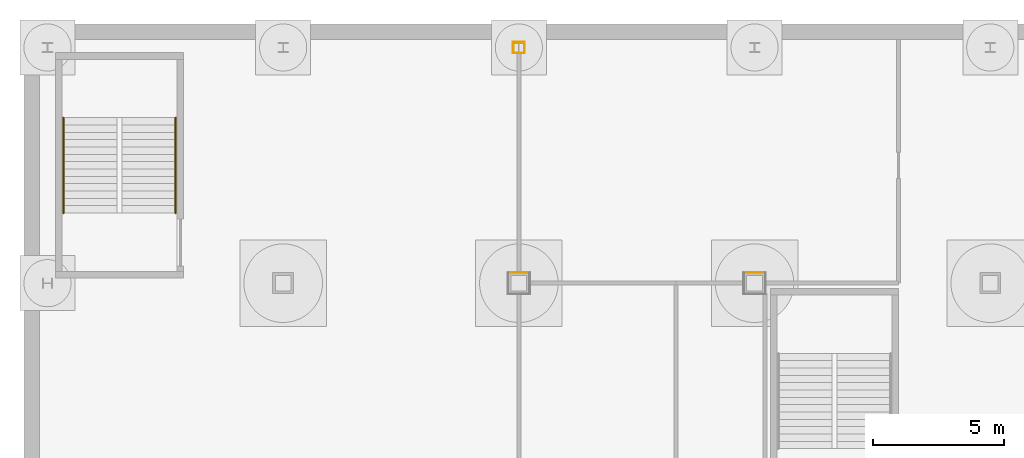
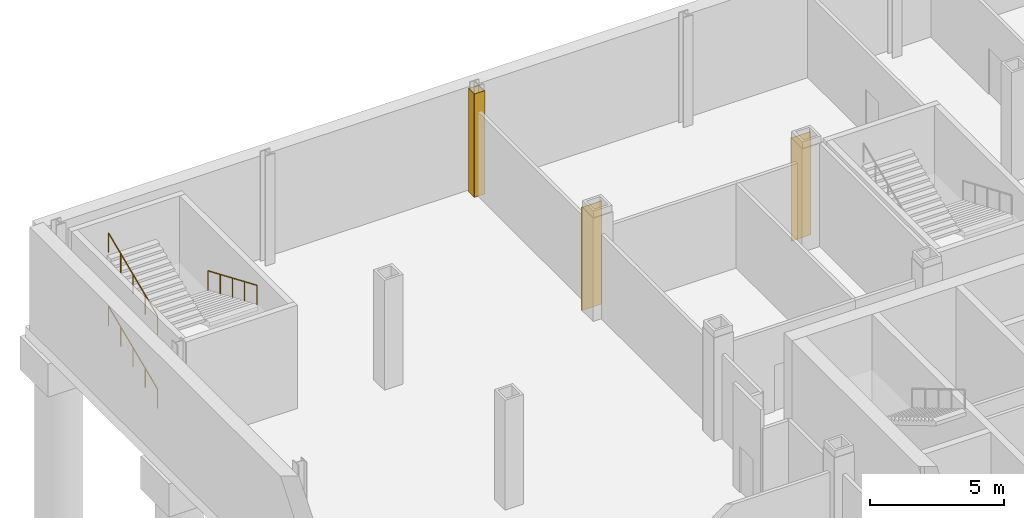
# One storey, part 24 of 28: 6 coverings, 3 railings.
"""IFC4 building model written with IfcOpenShell, lengths in metres."""

from ifc_helpers import new_model, si_unit, direction, frame, origin, origin_2d, place, context, subcontext, project, spatial, rectangle, circle, extrude, material, layer, layer_set, type_object, element, save


model = new_model("IFC4")

# Units and contexts
model_context = context("Model", 3, precision=1e-05, world=origin(), true_north=direction((0.0, 1.0)))
body_context = subcontext(model_context, "Body", "Model", "MODEL_VIEW")
ifc_project = project(units=[si_unit("LENGTHUNIT", "METRE"), si_unit("AREAUNIT", "SQUARE_METRE"), si_unit("VOLUMEUNIT", "CUBIC_METRE"), si_unit("PLANEANGLEUNIT", "RADIAN"), si_unit("MASSUNIT", "GRAM", prefix="KILO")], contexts=[model_context])

# Site, building, storey
site_placement = place(None, origin())
site = spatial("IfcSite", under=ifc_project, at=site_placement, CompositionType="ELEMENT")
building_placement = place(site_placement, origin())
building = spatial("IfcBuilding", under=site, at=building_placement, Name="Loomwork Tower", CompositionType="ELEMENT")
storey_placement = place(building_placement, frame((0.0, 0.0, -10.5)))
storey = spatial("IfcBuildingStorey", under=building, at=storey_placement, Name="B2", CompositionType="ELEMENT", Elevation=-10.5)

# Coverings
ifc_material_1 = material(Name="Two-hour fire-rated gypsum board casing")
ifc_layer = layer(ifc_material_1, 0.02490234375)
ifc_layer_set = layer_set([ifc_layer], Name="Column fire casing 25")
covering_type = type_object("IfcCoveringType", Name="Column fire casing 25", PredefinedType="CLADDING", material=ifc_layer_set)
covering_1_placement = place(storey_placement, frame((9.0, 36.41259765625, 0.0), z_axis=(0.0, 0.0, 1.0), x_axis=(1.0, 0.0, 0.0)))
element("IfcCovering", 1, at=covering_1_placement, inside=storey, type_object=covering_type, Name="Column casing 9 36 B2", PredefinedType="CLADDING", context=body_context, shape_type="SweptSolid", body=[
    extrude(rectangle(XDim=0.85009765625, YDim=0.02490234375, at=origin_2d()), origin(), (0.0, 0.0, 1.0), 4.699951171875),
])
for number, where, z_axis, x_axis, name in (
    (2, (9.0, 45.2119140625, 0.0), (0.0, 0.0, 1.0), (1.0, 0.0, 0.0), "Column casing 9 45 B2"),
    (3, (9.0, 44.7880859375, 0.0), (0.0, 0.0, 1.0), (1.0, 0.0, 0.0), "Column casing 9 45 B2"),
):
    element("IfcCovering", number, at=place(storey_placement, frame(where, z_axis=z_axis, x_axis=x_axis)), inside=storey, type_object=covering_type, Name=name, PredefinedType="CLADDING", context=body_context, shape_type="SweptSolid", body=[
        extrude(rectangle(XDim=0.451416015625, YDim=0.02490234375, at=origin_2d()), origin(), (0.0, 0.0, 1.0), 4.699951171875),
    ])
for number, where, z_axis, x_axis, name in (
    (4, (9.213134765625, 45.0, 0.0), (0.0, 0.0, 1.0), (1.0, 0.0, 0.0), "Column casing 9 45 B2"),
    (5, (8.786865234375, 45.0, 0.0), (0.0, 0.0, 1.0), (1.0, 0.0, 0.0), "Column casing 9 45 B2"),
):
    element("IfcCovering", number, at=place(storey_placement, frame(where, z_axis=z_axis, x_axis=x_axis)), inside=storey, type_object=covering_type, Name=name, PredefinedType="CLADDING", context=body_context, shape_type="SweptSolid", body=[
        extrude(rectangle(XDim=0.02490234375, YDim=0.398681640625, at=origin_2d()), origin(), (0.0, 0.0, 1.0), 4.699951171875),
    ])
covering_2_placement = place(storey_placement, frame((18.0, 36.41259765625, 0.0), z_axis=(0.0, 0.0, 1.0), x_axis=(1.0, 0.0, 0.0)))
element("IfcCovering", 6, at=covering_2_placement, inside=storey, type_object=covering_type, Name="Column casing 18 36 B2", PredefinedType="CLADDING", context=body_context, shape_type="SweptSolid", body=[
    extrude(rectangle(XDim=0.85009765625, YDim=0.02490234375, at=origin_2d()), origin(), (0.0, 0.0, 1.0), 4.699951171875),
])

# Railings
ifc_material_2 = material(Name="Stainless steel handrail", Category="steel")
railing_type = type_object("IfcRailingType", Name="Handrail 900", PredefinedType="HANDRAIL", material=ifc_material_2)
railing_1_placement = place(storey_placement, frame((-8.389892578125, 38.679931640625, 0.118896484375)))
element("IfcRailing", 7, at=railing_1_placement, inside=storey, type_object=railing_type, Name="Podium stair PS3 handrail flight 1 B2", PredefinedType="HANDRAIL", context=body_context, shape_type="SweptSolid", body=[
    extrude(circle(Radius=0.02392578125, at=origin_2d()), frame((0.0, 0.0, 0.8759765625), z_axis=(0.0, 0.920258693564, 0.391310537706), x_axis=(-1.0, 0.0, 0.0)), (0.0, 0.0, 1.0), 3.95556640625),
    extrude(circle(Radius=0.02099609375, at=origin_2d()), origin(), (0.0, 0.0, 1.0), 0.851806640625),
    extrude(circle(Radius=0.02099609375, at=origin_2d()), frame((0.0, 0.91015625, 0.386962890625)), (0.0, 0.0, 1.0), 0.851806640625),
    extrude(circle(Radius=0.02099609375, at=origin_2d()), frame((0.0, 1.820068359375, 0.77392578125)), (0.0, 0.0, 1.0), 0.851806640625),
    extrude(circle(Radius=0.02099609375, at=origin_2d()), frame((0.0, 2.72998046875, 1.160888671875)), (0.0, 0.0, 1.0), 0.851806640625),
    extrude(circle(Radius=0.02099609375, at=origin_2d()), frame((0.0, 3.64013671875, 1.5478515625)), (0.0, 0.0, 1.0), 0.851806640625),
])
railing_2_placement = place(storey_placement, frame((-4.110107421875, 42.320068359375, 1.78564453125)))
element("IfcRailing", 8, at=railing_2_placement, inside=storey, type_object=railing_type, Name="Podium stair PS3 handrail flight 2 B2", PredefinedType="HANDRAIL", context=body_context, shape_type="SweptSolid", body=[
    extrude(circle(Radius=0.02392578125, at=origin_2d()), frame((0.0, 0.0, 0.8759765625), z_axis=(0.0, -0.920258693564, 0.391310537706), x_axis=(1.0, 0.0, 0.0)), (0.0, 0.0, 1.0), 3.95556640625),
    extrude(circle(Radius=0.02099609375, at=origin_2d()), origin(), (0.0, 0.0, 1.0), 0.851806640625),
    extrude(circle(Radius=0.02099609375, at=origin_2d()), frame((0.0, -0.91015625, 0.386962890625)), (0.0, 0.0, 1.0), 0.851806640625),
    extrude(circle(Radius=0.02099609375, at=origin_2d()), frame((0.0, -1.820068359375, 0.77392578125)), (0.0, 0.0, 1.0), 0.851806640625),
    extrude(circle(Radius=0.02099609375, at=origin_2d()), frame((0.0, -2.72998046875, 1.160888671875)), (0.0, 0.0, 1.0), 0.851806640625),
    extrude(circle(Radius=0.02099609375, at=origin_2d()), frame((0.0, -3.64013671875, 1.5478515625)), (0.0, 0.0, 1.0), 0.851806640625),
])
railing_3_placement = place(storey_placement, frame((-8.389892578125, 38.679931640625, 3.452392578125)))
element("IfcRailing", 9, at=railing_3_placement, inside=storey, type_object=railing_type, Name="Podium stair PS3 handrail flight 3 B2", PredefinedType="HANDRAIL", context=body_context, shape_type="SweptSolid", body=[
    extrude(circle(Radius=0.02392578125, at=origin_2d()), frame((0.0, 0.0, 0.8759765625), z_axis=(0.0, 0.920280918742, 0.391258265855), x_axis=(-1.0, 0.0, 0.0)), (0.0, 0.0, 1.0), 3.95556640625),
    extrude(circle(Radius=0.02099609375, at=origin_2d()), origin(), (0.0, 0.0, 1.0), 0.851806640625),
    extrude(circle(Radius=0.02099609375, at=origin_2d()), frame((0.0, 0.91015625, 0.386962890625)), (0.0, 0.0, 1.0), 0.851806640625),
    extrude(circle(Radius=0.02099609375, at=origin_2d()), frame((0.0, 1.820068359375, 0.77392578125)), (0.0, 0.0, 1.0), 0.851806640625),
    extrude(circle(Radius=0.02099609375, at=origin_2d()), frame((0.0, 2.72998046875, 1.16064453125)), (0.0, 0.0, 1.0), 0.851806640625),
    extrude(circle(Radius=0.02099609375, at=origin_2d()), frame((0.0, 3.64013671875, 1.547607421875)), (0.0, 0.0, 1.0), 0.851806640625),
])

save(model, "model.ifc")
